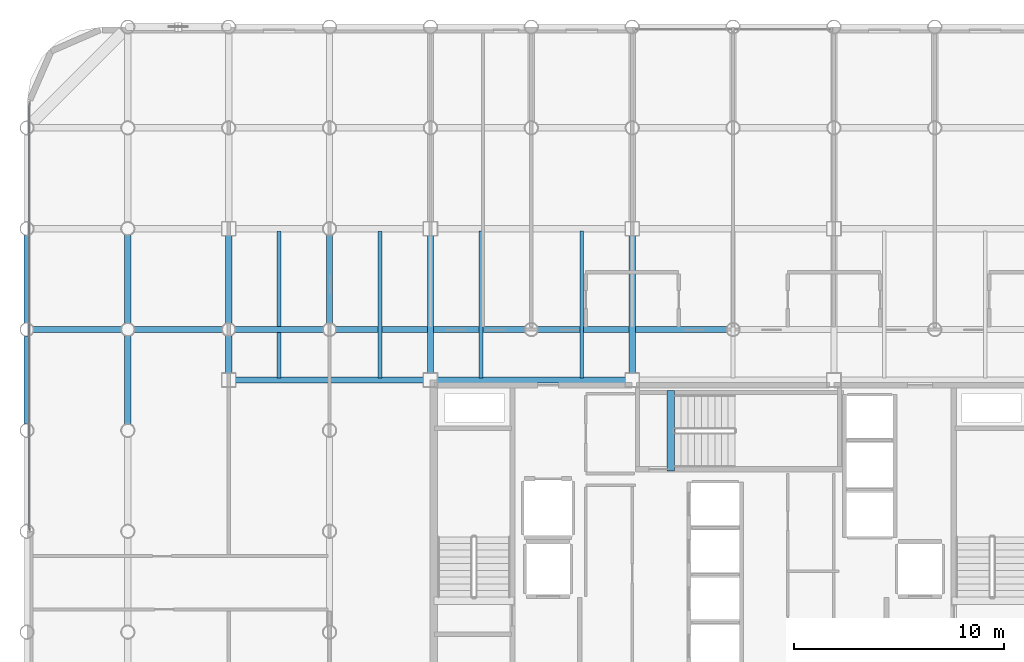
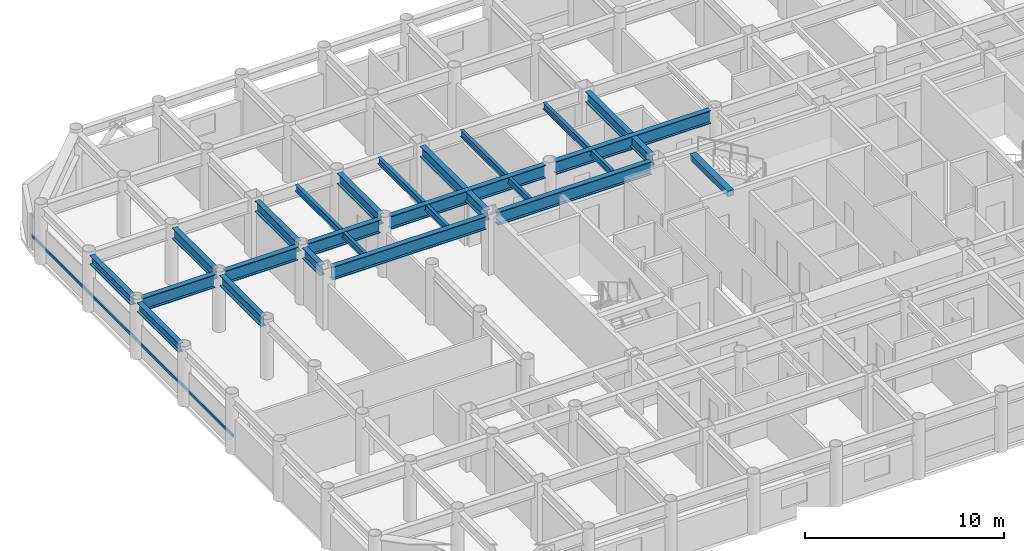
# One storey, part 5 of 20: 21 beams, 1 member, 1 element without a shape of its own.
"""IFC4 building model written with IfcOpenShell, lengths in metres."""

from ifc_helpers import new_model, si_unit, direction, frame, origin, origin_2d, place, context, subcontext, project, spatial, rectangle, hollow_rectangle, i_section, extrude, material, layer, layer_set, material_profile, profile_set, type_object, element, aggregate, save


model = new_model("IFC4")

# Units and contexts
model_context = context("Model", 3, precision=1e-05, world=origin(), true_north=direction((0.0, 1.0)))
body_context = subcontext(model_context, "Body", "Model", "MODEL_VIEW")
ifc_project = project(units=[si_unit("LENGTHUNIT", "METRE"), si_unit("AREAUNIT", "SQUARE_METRE"), si_unit("VOLUMEUNIT", "CUBIC_METRE"), si_unit("PLANEANGLEUNIT", "RADIAN"), si_unit("MASSUNIT", "GRAM", prefix="KILO")], contexts=[model_context])

# Site, building, storey
site_placement = place(None, origin())
site = spatial("IfcSite", under=ifc_project, at=site_placement, CompositionType="ELEMENT")
building_placement = place(site_placement, origin())
building = spatial("IfcBuilding", under=site, at=building_placement, Name="Kallvorn Hotel Tower", CompositionType="ELEMENT")
storey_placement = place(building_placement, frame((0.0, 0.0, 132.199951171875)))
storey = spatial("IfcBuildingStorey", under=building, at=storey_placement, Name="L32", CompositionType="ELEMENT", Elevation=132.199951171875)

# Beams
ifc_material_1 = material(Name="Structural steel S355JR", Category="steel")
ifc_material_profile_1 = material_profile(ifc_material_1, i_section(OverallWidth=0.300048828125, OverallDepth=0.550048828125, WebThickness=0.014892578125, FlangeThickness=0.029052734375, at=origin_2d()), Name="HE 550 B")
ifc_profile_set_1 = profile_set([ifc_material_profile_1], Name="Structural steel S355JR")
beam_type_1 = type_object("IfcBeamType", Name="BM_HE550B", PredefinedType="SPANDREL", material=ifc_profile_set_1)
beam_1_placement = place(storey_placement, frame((-33.60009765625, 5.1201171875, 3.2451171875), z_axis=(0.0, 1.0, 0.0), x_axis=(-1.0, 0.0, 0.0)))
element("IfcBeam", 1, at=beam_1_placement, inside=storey, type_object=beam_type_1, Name="L33 Perimeter Spandrel 178", PredefinedType="SPANDREL", context=body_context, shape_type="SweptSolid", body=[
    extrude(i_section(OverallWidth=0.300048828125, OverallDepth=0.550048828125, WebThickness=0.014892578125, FlangeThickness=0.029052734375, at=origin_2d()), origin(), (0.0, 0.0, 1.0), 4.159912109375),
])
beam_2_placement = place(storey_placement, frame((-33.60009765625, 9.919921875, 3.2451171875), z_axis=(0.0, 1.0, 0.0), x_axis=(-1.0, 0.0, 0.0)))
element("IfcBeam", 2, at=beam_2_placement, inside=storey, type_object=beam_type_1, Name="L33 Perimeter Spandrel 179", PredefinedType="SPANDREL", context=body_context, shape_type="SweptSolid", body=[
    extrude(i_section(OverallWidth=0.300048828125, OverallDepth=0.550048828125, WebThickness=0.014892578125, FlangeThickness=0.029052734375, at=origin_2d()), origin(), (0.0, 0.0, 1.0), 4.16015625),
])
ifc_material_2 = material(Name="Structural steel S355JR", Category="steel")
ifc_material_profile_2 = material_profile(ifc_material_2, i_section(OverallWidth=0.300048828125, OverallDepth=0.64990234375, WebThickness=0.01611328125, FlangeThickness=0.031005859375, at=origin_2d()), Name="HE 650 B")
ifc_profile_set_2 = profile_set([ifc_material_profile_2], Name="Structural steel S355JR")
beam_type_2 = type_object("IfcBeamType", Name="BM_HE650B", PredefinedType="BEAM", material=ifc_profile_set_2)
for number, where, z_axis, x_axis, name in (
    (3, (-28.800048828125, 5.10498046875, 3.195068359375), (0.0, 1.0, 0.0), (-1.0, 0.0, 0.0), "L33 Primary Y-Girder 78"),
    (4, (-28.800048828125, 9.905029296875, 3.195068359375), (0.0, 1.0, 0.0), (-1.0, 0.0, 0.0), "L33 Primary Y-Girder 79"),
):
    element("IfcBeam", number, at=place(storey_placement, frame(where, z_axis=z_axis, x_axis=x_axis)), inside=storey, type_object=beam_type_2, Name=name, PredefinedType="BEAM", context=body_context, shape_type="SweptSolid", body=[
        extrude(i_section(OverallWidth=0.300048828125, OverallDepth=0.64990234375, WebThickness=0.01611328125, FlangeThickness=0.031005859375, at=origin_2d()), origin(), (0.0, 0.0, 1.0), 4.18994140625),
    ])
beam_3_placement = place(storey_placement, frame((-24.0, 7.52490234375, 3.195068359375), z_axis=(0.0, 1.0, 0.0), x_axis=(-1.0, 0.0, 0.0)))
element("IfcBeam", 5, at=beam_3_placement, inside=storey, type_object=beam_type_2, Name="L33 Primary Y-Girder 85", PredefinedType="BEAM", context=body_context, shape_type="SweptSolid", body=[
    extrude(i_section(OverallWidth=0.300048828125, OverallDepth=0.64990234375, WebThickness=0.01611328125, FlangeThickness=0.031005859375, at=origin_2d()), origin(), (0.0, 0.0, 1.0), 1.77001953125),
])
beam_4_placement = place(storey_placement, frame((-24.0, 9.905029296875, 3.195068359375), z_axis=(0.0, 1.0, 0.0), x_axis=(-1.0, 0.0, 0.0)))
element("IfcBeam", 6, at=beam_4_placement, inside=storey, type_object=beam_type_2, Name="L33 Primary Y-Girder 86", PredefinedType="BEAM", context=body_context, shape_type="SweptSolid", body=[
    extrude(i_section(OverallWidth=0.300048828125, OverallDepth=0.64990234375, WebThickness=0.01611328125, FlangeThickness=0.031005859375, at=origin_2d()), origin(), (0.0, 0.0, 1.0), 4.169921875),
])
beam_5_placement = place(storey_placement, frame((-19.199951171875, 9.905029296875, 3.195068359375), z_axis=(0.0, 1.0, 0.0), x_axis=(-1.0, 0.0, 0.0)))
element("IfcBeam", 7, at=beam_5_placement, inside=storey, type_object=beam_type_2, Name="L33 Primary Y-Girder 95", PredefinedType="BEAM", context=body_context, shape_type="SweptSolid", body=[
    extrude(i_section(OverallWidth=0.300048828125, OverallDepth=0.64990234375, WebThickness=0.01611328125, FlangeThickness=0.031005859375, at=origin_2d()), origin(), (0.0, 0.0, 1.0), 4.18994140625),
])
for number, where, z_axis, x_axis, name in (
    (8, (-14.39990234375, 7.52490234375, 3.195068359375), (0.0, 1.0, 0.0), (-1.0, 0.0, 0.0), "L33 Primary Y-Girder 100"),
    (9, (-4.800048828125, 7.52490234375, 3.195068359375), (0.0, 1.0, 0.0), (-1.0, 0.0, 0.0), "L33 Primary Y-Girder 108"),
):
    element("IfcBeam", number, at=place(storey_placement, frame(where, z_axis=z_axis, x_axis=x_axis)), inside=storey, type_object=beam_type_2, Name=name, PredefinedType="BEAM", context=body_context, shape_type="SweptSolid", body=[
        extrude(i_section(OverallWidth=0.300048828125, OverallDepth=0.64990234375, WebThickness=0.01611328125, FlangeThickness=0.031005859375, at=origin_2d()), origin(), (0.0, 0.0, 1.0), 6.550048828125),
    ])
ifc_material_3 = material(Name="Structural steel S355JR", Category="steel")
ifc_material_profile_3 = material_profile(ifc_material_3, i_section(OverallWidth=0.300048828125, OverallDepth=0.800048828125, WebThickness=0.017578125, FlangeThickness=0.032958984375, at=origin_2d()), Name="HE 800 B")
ifc_profile_set_3 = profile_set([ifc_material_profile_3], Name="Structural steel S355JR")
beam_type_3 = type_object("IfcBeamType", Name="BM_HE800B", PredefinedType="BEAM", material=ifc_profile_set_3)
for number, where, z_axis, x_axis, name in (
    (10, (-23.675048828125, 7.199951171875, 3.1201171875), (1.0, 0.0, 0.0), (0.0, 1.0, 0.0), "L33 Primary X-Girder 36"),
    (11, (-14.074951171875, 7.199951171875, 3.1201171875), (1.0, 0.0, 0.0), (0.0, 1.0, 0.0), "L33 Primary X-Girder 37"),
):
    element("IfcBeam", number, at=place(storey_placement, frame(where, z_axis=z_axis, x_axis=x_axis)), inside=storey, type_object=beam_type_3, Name=name, PredefinedType="BEAM", context=body_context, shape_type="SweptSolid", body=[
        extrude(i_section(OverallWidth=0.300048828125, OverallDepth=0.800048828125, WebThickness=0.017578125, FlangeThickness=0.032958984375, at=origin_2d()), origin(), (0.0, 0.0, 1.0), 8.949951171875),
    ])
beam_6_placement = place(storey_placement, frame((-33.294921875, 9.60009765625, 3.1201171875), z_axis=(1.0, 0.0, 0.0), x_axis=(0.0, 1.0, 0.0)))
element("IfcBeam", 12, at=beam_6_placement, inside=storey, type_object=beam_type_3, Name="L33 Primary X-Girder 41", PredefinedType="BEAM", context=body_context, shape_type="SweptSolid", body=[
    extrude(i_section(OverallWidth=0.300048828125, OverallDepth=0.800048828125, WebThickness=0.017578125, FlangeThickness=0.032958984375, at=origin_2d()), origin(), (0.0, 0.0, 1.0), 4.18994140625),
])
for number, where, z_axis, x_axis, name in (
    (13, (-28.4951171875, 9.60009765625, 3.1201171875), (1.0, 0.0, 0.0), (0.0, 1.0, 0.0), "L33 Primary X-Girder 42"),
    (14, (-23.695068359375, 9.60009765625, 3.1201171875), (1.0, 0.0, 0.0), (0.0, 1.0, 0.0), "L33 Primary X-Girder 43"),
):
    element("IfcBeam", number, at=place(storey_placement, frame(where, z_axis=z_axis, x_axis=x_axis)), inside=storey, type_object=beam_type_3, Name=name, PredefinedType="BEAM", context=body_context, shape_type="SweptSolid", body=[
        extrude(i_section(OverallWidth=0.300048828125, OverallDepth=0.800048828125, WebThickness=0.017578125, FlangeThickness=0.032958984375, at=origin_2d()), origin(), (0.0, 0.0, 1.0), 4.190185546875),
    ])
for number, where, z_axis, x_axis, name in (
    (15, (-18.89501953125, 9.60009765625, 3.1201171875), (1.0, 0.0, 0.0), (0.0, 1.0, 0.0), "L33 Primary X-Girder 44"),
    (16, (-9.294921875, 9.60009765625, 3.1201171875), (1.0, 0.0, 0.0), (0.0, 1.0, 0.0), "L33 Primary X-Girder 45"),
):
    element("IfcBeam", number, at=place(storey_placement, frame(where, z_axis=z_axis, x_axis=x_axis)), inside=storey, type_object=beam_type_3, Name=name, PredefinedType="BEAM", context=body_context, shape_type="SweptSolid", body=[
        extrude(i_section(OverallWidth=0.300048828125, OverallDepth=0.800048828125, WebThickness=0.017578125, FlangeThickness=0.032958984375, at=origin_2d()), origin(), (0.0, 0.0, 1.0), 8.989990234375),
    ])
ifc_material_4 = material(Name="Structural steel S355JR", Category="steel")
ifc_material_profile_4 = material_profile(ifc_material_4, i_section(OverallWidth=0.179931640625, OverallDepth=0.39990234375, WebThickness=0.008544921875, FlangeThickness=0.013427734375, at=origin_2d()), Name="IPE 400")
ifc_profile_set_4 = profile_set([ifc_material_profile_4], Name="Structural steel S355JR")
beam_type_4 = type_object("IfcBeamType", Name="BM_IPE400", PredefinedType="JOIST", material=ifc_profile_set_4)
for number, where, z_axis, x_axis, name in (
    (17, (-21.60009765625, 7.300048828125, 3.320068359375), (0.0, 1.0, 0.0), (-1.0, 0.0, 0.0), "L33 Secondary Composite Joist 193"),
    (18, (-16.800048828125, 7.300048828125, 3.320068359375), (0.0, 1.0, 0.0), (-1.0, 0.0, 0.0), "L33 Secondary Composite Joist 195"),
    (19, (-12.0, 7.300048828125, 3.320068359375), (0.0, 1.0, 0.0), (-1.0, 0.0, 0.0), "L33 Secondary Composite Joist 197"),
    (20, (-7.199951171875, 7.300048828125, 3.320068359375), (0.0, 1.0, 0.0), (-1.0, 0.0, 0.0), "L33 Secondary Composite Joist 199"),
):
    element("IfcBeam", number, at=place(storey_placement, frame(where, z_axis=z_axis, x_axis=x_axis)), inside=storey, type_object=beam_type_4, Name=name, PredefinedType="JOIST", context=body_context, shape_type="SweptSolid", body=[
        extrude(i_section(OverallWidth=0.179931640625, OverallDepth=0.39990234375, WebThickness=0.008544921875, FlangeThickness=0.013427734375, at=origin_2d()), origin(), (0.0, 0.0, 1.0), 7.0),
    ])
ifc_material_5 = material(Name="Concrete C50/60", Category="concrete")
ifc_material_profile_5 = material_profile(ifc_material_5, rectangle(XDim=0.360107421875, YDim=0.340087890625, at=origin_2d()), Name="RC 360x340")
ifc_profile_set_5 = profile_set([ifc_material_profile_5], Name="Concrete C50/60")
beam_type_5 = type_object("IfcBeamType", Name="BM_RC_400x360", PredefinedType="BEAM", material=ifc_profile_set_5)
beam_7_placement = place(storey_placement, frame((-2.9599609375, 2.8701171875, 3.35009765625), z_axis=(0.0, 1.0, 0.0), x_axis=(-1.0, 0.0, 0.0)))
element("IfcBeam", 21, at=beam_7_placement, inside=storey, type_object=beam_type_5, Name="L33 Stair ST3 Arrival Trimmer Beam", PredefinedType="BEAM", context=body_context, shape_type="SweptSolid", body=[
    extrude(rectangle(XDim=0.360107421875, YDim=0.340087890625, at=origin_2d()), origin(), (0.0, 0.0, 1.0), 3.81982421875),
])

# Curtain wall, member
ifc_material_6 = material(Name="Thermally broken black-anodised aluminium AA 6063-T6", Category="aluminium")
ifc_layer = layer(ifc_material_6, 0.2099609375)
ifc_layer_set = layer_set([ifc_layer], Name="CW_SYS_4_HOTEL_MID")
curtain_wall_type = type_object("IfcCurtainWallType", Name="CW_SYS_4_HOTEL_MID", PredefinedType="USERDEFINED", material=ifc_layer_set)
curtain_wall_placement = place(storey_placement, origin())
curtain_wall = element("IfcCurtainWall", 22, at=curtain_wall_placement, inside=storey, type_object=curtain_wall_type, Name="L32 Dark-Glass Curtain Wall CW-L32-WN", ObjectType="UNITISED CURTAIN WALL", PredefinedType="USERDEFINED")
ifc_material_7 = material(Name="Thermally broken black-anodised aluminium AA 6063-T6", Category="aluminium")
ifc_material_profile_6 = material_profile(ifc_material_7, hollow_rectangle(XDim=0.070068359375, YDim=0.179931640625, WallThickness=0.00390625, at=origin_2d()), Name="TRN 180x70")
ifc_profile_set_6 = profile_set([ifc_material_profile_6], Name="Thermally broken black-anodised aluminium AA 6063-T6")
member_type = type_object("IfcMemberType", Name="CW_TRANSOM_180x70", PredefinedType="USERDEFINED", material=ifc_profile_set_6)
member_placement = place(storey_placement, frame((-33.47998046875, 0.06005859375, 0.85009765625), z_axis=(0.0, 1.0, 0.0), x_axis=(-1.0, 0.0, 0.0)))
member = element("IfcMember", 23, at=member_placement, type_object=member_type, Name="CW-L32-WN Transom 00M", ObjectType="TRANSOM", PredefinedType="USERDEFINED", context=body_context, shape_type="SweptSolid", body=[
    extrude(hollow_rectangle(XDim=0.070068359375, YDim=0.179931640625, WallThickness=0.00390625, at=origin_2d()), origin(), (0.0, 0.0, 1.0), 20.300048828125),
])
aggregate(curtain_wall, [member])

save(model, "model.ifc")
